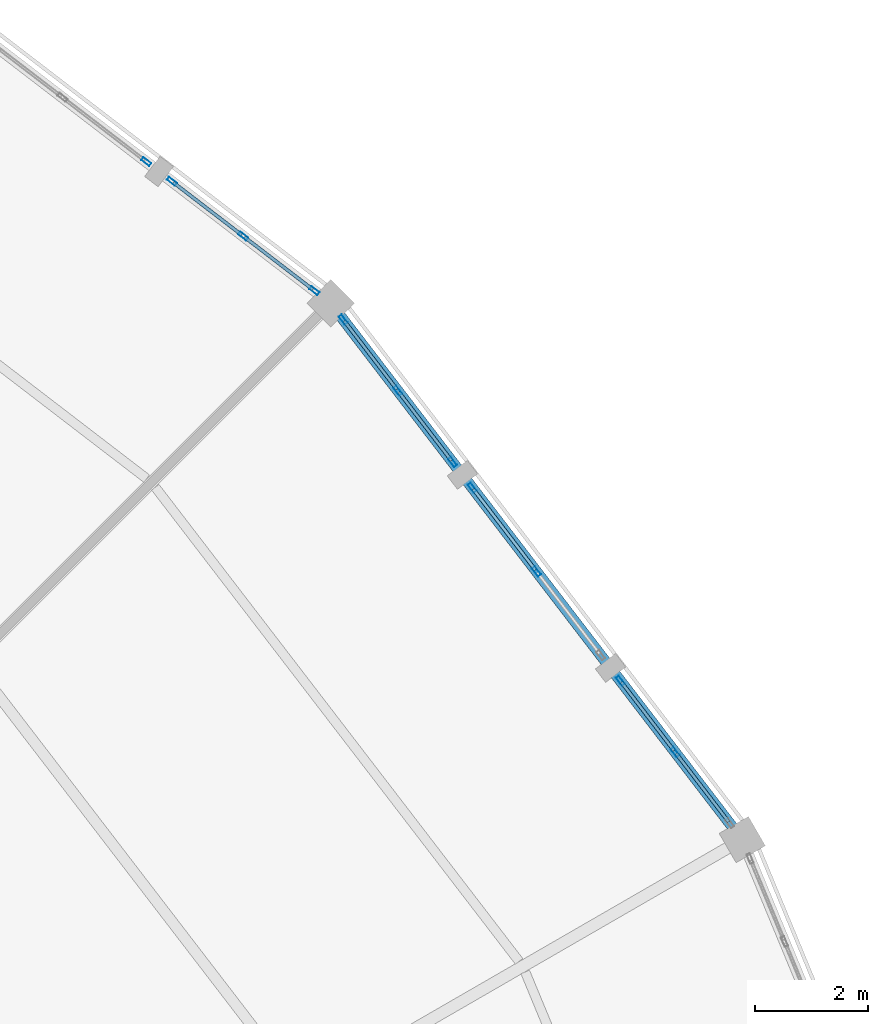
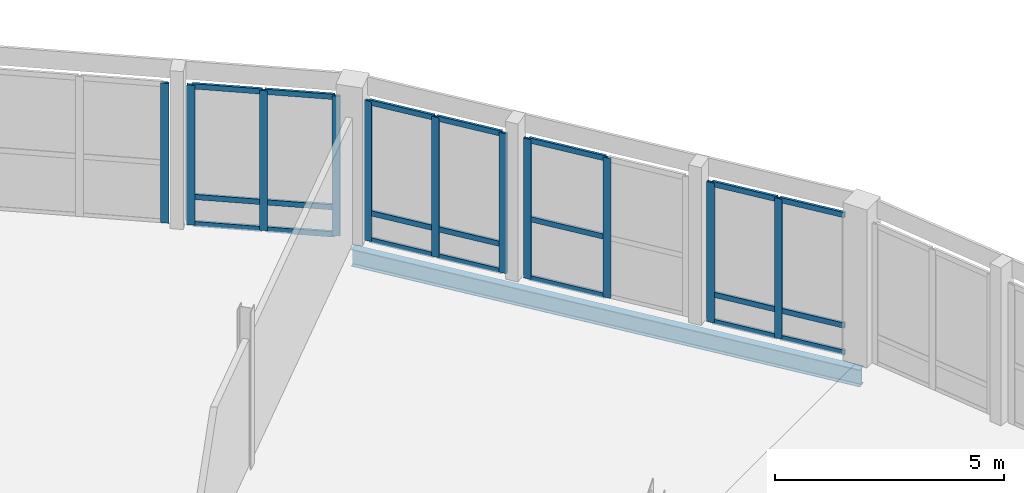
# One storey, part 121 of 170: 32 members, 1 beam, 5 elements without a shape of their own.
"""IFC4 building model written with IfcOpenShell, lengths in metres."""

from ifc_helpers import new_model, si_unit, direction, frame, origin, origin_2d, place, context, subcontext, project, spatial, hollow_rectangle, i_section, extrude, material, material_profile, profile_set, type_object, element, aggregate, save


model = new_model("IFC4")

# Units and contexts
model_context = context("Model", 3, precision=1e-05, world=origin(), true_north=direction((0.0, 1.0)))
body_context = subcontext(model_context, "Body", "Model", "MODEL_VIEW")
ifc_project = project(units=[si_unit("LENGTHUNIT", "METRE"), si_unit("AREAUNIT", "SQUARE_METRE"), si_unit("VOLUMEUNIT", "CUBIC_METRE"), si_unit("PLANEANGLEUNIT", "RADIAN"), si_unit("MASSUNIT", "GRAM", prefix="KILO")], contexts=[model_context])

# Site, building, storey
site_placement = place(None, origin())
site = spatial("IfcSite", under=ifc_project, at=site_placement, CompositionType="ELEMENT")
building_placement = place(site_placement, origin())
building = spatial("IfcBuilding", under=site, at=building_placement, Name="Vondelvale Polytechnic", CompositionType="ELEMENT")
storey_placement = place(building_placement, frame((0.0, 0.0, 5.39990234375)))
storey = spatial("IfcBuildingStorey", under=building, at=storey_placement, Name="L01", CompositionType="ELEMENT", Elevation=5.39990234375)

# Beam
ifc_material_1 = material(Name="Steel 300PLUS (fy = 300 MPa)", Category="steel")
ifc_material_profile_1 = material_profile(ifc_material_1, i_section(OverallWidth=0.18994140625, OverallDepth=0.45703125, WebThickness=0.009033203125, FlangeThickness=0.014404296875, FilletRadius=0.011474609375, at=origin_2d()), Name="460UB74.6")
ifc_profile_set_1 = profile_set([ifc_material_profile_1], Name="Steel 300PLUS (fy = 300 MPa)")
beam_type = type_object("IfcBeamType", Name="BM-UB460", PredefinedType="BEAM", material=ifc_profile_set_1)
beam_placement = place(storey_placement, frame((141.837158203125, 95.0, -0.50830078125), z_axis=(-0.608766116008, 0.793349743808, 0.0), x_axis=(-0.793349743808, -0.608766116008, 0.0)))
element("IfcBeam", 1, at=beam_placement, inside=storey, type_object=beam_type, Name="L01 RB B-13", PredefinedType="BEAM", context=body_context, shape_type="SweptSolid", body=[
    extrude(i_section(OverallWidth=0.18994140625, OverallDepth=0.45703125, WebThickness=0.009033203125, FlangeThickness=0.014404296875, FilletRadius=0.011474609375, at=origin_2d()), origin(), (0.0, 0.0, 1.0), 12.00830078125),
])

# Curtain wall, members
ifc_material_2 = material(Name="Glulam GL18 structural Tasmanian oak (fb = 42 MPa)", Category="wood")
curtain_wall_type = type_object("IfcCurtainWallType", Name="CW-RING-OUTER", PredefinedType="NOTDEFINED", material=ifc_material_2)
curtain_wall_1_placement = place(storey_placement, origin())
curtain_wall_1 = element("IfcCurtainWall", 2, at=curtain_wall_1_placement, inside=storey, type_object=curtain_wall_type, Name="L01 architectural curtain wall CW-04-090", PredefinedType="NOTDEFINED")
ifc_material_3 = material(Name="Anodised extruded aluminium 6063-T6", Category="aluminium")
ifc_material_profile_2 = material_profile(ifc_material_3, hollow_rectangle(XDim=0.06494140625, YDim=0.179931640625, WallThickness=0.00390625, at=origin_2d()), Name="CW-MUL-180x65")
ifc_profile_set_2 = profile_set([ifc_material_profile_2], Name="Anodised extruded aluminium 6063-T6")
member_type_1 = type_object("IfcMemberType", Name="CW-MUL-65x180", PredefinedType="MULLION", material=ifc_profile_set_2)
member_1_placement = place(storey_placement, frame((140.643798828125, 96.55517578125, 0.0), z_axis=(0.0, 0.0, 1.0), x_axis=(-0.793333825656, -0.608786860133, 0.0)))
member_1 = element("IfcMember", 3, at=member_1_placement, type_object=member_type_1, Name="CW-04-090 mullion 2", PredefinedType="MULLION", context=body_context, shape_type="SweptSolid", body=[
    extrude(hollow_rectangle(XDim=0.06494140625, YDim=0.179931640625, WallThickness=0.00390625, at=origin_2d()), origin(), (0.0, 0.0, 1.0), 3.72021484375),
])
member_2_placement = place(storey_placement, frame((139.6728515625, 97.820556640625, 0.0), z_axis=(0.0, 0.0, 1.0), x_axis=(-0.793333825656, -0.608786860133, 0.0)))
member_2 = element("IfcMember", 4, at=member_2_placement, type_object=member_type_1, Name="CW-04-090 mullion 3", PredefinedType="MULLION", context=body_context, shape_type="SweptSolid", body=[
    extrude(hollow_rectangle(XDim=0.06494140625, YDim=0.179931640625, WallThickness=0.00390625, at=origin_2d()), origin(), (0.0, 0.0, 1.0), 3.72021484375),
])

curtain_wall_2_placement = place(storey_placement, origin())
curtain_wall_2 = element("IfcCurtainWall", 5, at=curtain_wall_2_placement, inside=storey, type_object=curtain_wall_type, Name="L01 architectural curtain wall CW-04-091", PredefinedType="NOTDEFINED")
member_3_placement = place(storey_placement, frame((138.18212890625, 99.763427734375, 0.0), z_axis=(0.0, 0.0, 1.0), x_axis=(-0.793345851043, -0.608771189063, 0.0)))
member_3 = element("IfcMember", 6, at=member_3_placement, type_object=member_type_1, Name="CW-04-091 mullion 2", PredefinedType="MULLION", context=body_context, shape_type="SweptSolid", body=[
    extrude(hollow_rectangle(XDim=0.06494140625, YDim=0.179931640625, WallThickness=0.00390625, at=origin_2d()), origin(), (0.0, 0.0, 1.0), 3.72021484375),
])
member_4_placement = place(storey_placement, frame((137.041259765625, 101.250244140625, 0.0), z_axis=(0.0, 0.0, 1.0), x_axis=(-0.793345851043, -0.608771189063, 0.0)))
member_4 = element("IfcMember", 7, at=member_4_placement, type_object=member_type_1, Name="CW-04-091 mullion 3", PredefinedType="MULLION", context=body_context, shape_type="SweptSolid", body=[
    extrude(hollow_rectangle(XDim=0.06494140625, YDim=0.179931640625, WallThickness=0.00390625, at=origin_2d()), origin(), (0.0, 0.0, 1.0), 3.72021484375),
])

curtain_wall_3_placement = place(storey_placement, origin())
curtain_wall_3 = element("IfcCurtainWall", 8, at=curtain_wall_3_placement, inside=storey, type_object=curtain_wall_type, Name="L01 architectural curtain wall CW-04-092", PredefinedType="NOTDEFINED")
member_5_placement = place(storey_placement, frame((136.691162109375, 101.706298828125, 0.0), z_axis=(0.0, 0.0, 1.0), x_axis=(-0.793333825656, -0.608786860133, 0.0)))
member_5 = element("IfcMember", 9, at=member_5_placement, type_object=member_type_1, Name="CW-04-092 mullion 1", PredefinedType="MULLION", context=body_context, shape_type="SweptSolid", body=[
    extrude(hollow_rectangle(XDim=0.06494140625, YDim=0.179931640625, WallThickness=0.00390625, at=origin_2d()), origin(), (0.0, 0.0, 1.0), 3.72021484375),
])
member_6_placement = place(storey_placement, frame((135.72021484375, 102.9716796875, 0.0), z_axis=(0.0, 0.0, 1.0), x_axis=(-0.793333825656, -0.608786860133, 0.0)))
member_6 = element("IfcMember", 10, at=member_6_placement, type_object=member_type_1, Name="CW-04-092 mullion 2", PredefinedType="MULLION", context=body_context, shape_type="SweptSolid", body=[
    extrude(hollow_rectangle(XDim=0.06494140625, YDim=0.179931640625, WallThickness=0.00390625, at=origin_2d()), origin(), (0.0, 0.0, 1.0), 3.72021484375),
])
member_7_placement = place(storey_placement, frame((134.749267578125, 104.237060546875, 0.0), z_axis=(0.0, 0.0, 1.0), x_axis=(-0.793333825656, -0.608786860133, 0.0)))
member_7 = element("IfcMember", 11, at=member_7_placement, type_object=member_type_1, Name="CW-04-092 mullion 3", PredefinedType="MULLION", context=body_context, shape_type="SweptSolid", body=[
    extrude(hollow_rectangle(XDim=0.06494140625, YDim=0.179931640625, WallThickness=0.00390625, at=origin_2d()), origin(), (0.0, 0.0, 1.0), 3.72021484375),
])

curtain_wall_4_placement = place(storey_placement, origin())
curtain_wall_4 = element("IfcCurtainWall", 12, at=curtain_wall_4_placement, inside=storey, type_object=curtain_wall_type, Name="L01 architectural curtain wall CW-04-101", PredefinedType="NOTDEFINED")
member_8_placement = place(storey_placement, frame((134.237060546875, 104.749267578125, 0.0), z_axis=(0.0, 0.0, 1.0), x_axis=(-0.608786860133, -0.793333825656, 0.0)))
member_8 = element("IfcMember", 13, at=member_8_placement, type_object=member_type_1, Name="CW-04-101 mullion 1", PredefinedType="MULLION", context=body_context, shape_type="SweptSolid", body=[
    extrude(hollow_rectangle(XDim=0.06494140625, YDim=0.179931640625, WallThickness=0.00390625, at=origin_2d()), origin(), (0.0, 0.0, 1.0), 3.72021484375),
])
member_9_placement = place(storey_placement, frame((132.9716796875, 105.72021484375, 0.0), z_axis=(0.0, 0.0, 1.0), x_axis=(-0.608786860133, -0.793333825656, 0.0)))
member_9 = element("IfcMember", 14, at=member_9_placement, type_object=member_type_1, Name="CW-04-101 mullion 2", PredefinedType="MULLION", context=body_context, shape_type="SweptSolid", body=[
    extrude(hollow_rectangle(XDim=0.06494140625, YDim=0.179931640625, WallThickness=0.00390625, at=origin_2d()), origin(), (0.0, 0.0, 1.0), 3.72021484375),
])
member_10_placement = place(storey_placement, frame((131.706298828125, 106.691162109375, 0.0), z_axis=(0.0, 0.0, 1.0), x_axis=(-0.608786860133, -0.793333825656, 0.0)))
member_10 = element("IfcMember", 15, at=member_10_placement, type_object=member_type_1, Name="CW-04-101 mullion 3", PredefinedType="MULLION", context=body_context, shape_type="SweptSolid", body=[
    extrude(hollow_rectangle(XDim=0.06494140625, YDim=0.179931640625, WallThickness=0.00390625, at=origin_2d()), origin(), (0.0, 0.0, 1.0), 3.72021484375),
])

# Curtain wall, member
curtain_wall_5_placement = place(storey_placement, origin())
curtain_wall_5 = element("IfcCurtainWall", 16, at=curtain_wall_5_placement, inside=storey, type_object=curtain_wall_type, Name="L01 architectural curtain wall CW-04-102", PredefinedType="NOTDEFINED")
member_11_placement = place(storey_placement, frame((131.250244140625, 107.041259765625, 0.0), z_axis=(0.0, 0.0, 1.0), x_axis=(-0.608771189063, -0.793345851043, 0.0)))
member_11 = element("IfcMember", 17, at=member_11_placement, type_object=member_type_1, Name="CW-04-102 mullion 1", PredefinedType="MULLION", context=body_context, shape_type="SweptSolid", body=[
    extrude(hollow_rectangle(XDim=0.06494140625, YDim=0.179931640625, WallThickness=0.00390625, at=origin_2d()), origin(), (0.0, 0.0, 1.0), 3.72021484375),
])
aggregate(curtain_wall_5, [member_11])

# Member
ifc_material_profile_3 = material_profile(ifc_material_3, hollow_rectangle(XDim=0.06005859375, YDim=0.139892578125, WallThickness=0.00341796875, at=origin_2d()), Name="CW-TRN-140x60")
ifc_profile_set_3 = profile_set([ifc_material_profile_3], Name="Anodised extruded aluminium 6063-T6")
member_type_2 = type_object("IfcMemberType", Name="CW-TRN-60x140", PredefinedType="USERDEFINED", material=ifc_profile_set_3)
member_12_placement = place(storey_placement, frame((141.59521484375, 95.315673828125, 0.030029296875), z_axis=(-0.608923875222, 0.7932286645, 0.0), x_axis=(-0.7932286645, -0.608923875222, 0.0)))
member_12 = element("IfcMember", 18, at=member_12_placement, type_object=member_type_2, Name="CW-04-090 transom 1.1", ObjectType="TRANSOM", PredefinedType="USERDEFINED", context=body_context, shape_type="SweptSolid", body=[
    extrude(hollow_rectangle(XDim=0.06005859375, YDim=0.139892578125, WallThickness=0.00341796875, at=origin_2d()), origin(), (0.0, 0.0, 1.0), 1.530029296875),
])

member_13_placement = place(storey_placement, frame((141.59521484375, 95.315673828125, 0.75), z_axis=(-0.608923875222, 0.7932286645, 0.0), x_axis=(-0.7932286645, -0.608923875222, 0.0)))
member_13 = element("IfcMember", 19, at=member_13_placement, type_object=member_type_2, Name="CW-04-090 transom 1.2", ObjectType="TRANSOM", PredefinedType="USERDEFINED", context=body_context, shape_type="SweptSolid", body=[
    extrude(hollow_rectangle(XDim=0.06005859375, YDim=0.139892578125, WallThickness=0.00341796875, at=origin_2d()), origin(), (0.0, 0.0, 1.0), 1.530029296875),
])

member_14_placement = place(storey_placement, frame((141.59521484375, 95.315673828125, 3.690185546875), z_axis=(-0.608923875222, 0.7932286645, 0.0), x_axis=(-0.7932286645, -0.608923875222, 0.0)))
member_14 = element("IfcMember", 20, at=member_14_placement, type_object=member_type_2, Name="CW-04-090 transom 1.3", ObjectType="TRANSOM", PredefinedType="USERDEFINED", context=body_context, shape_type="SweptSolid", body=[
    extrude(hollow_rectangle(XDim=0.06005859375, YDim=0.139892578125, WallThickness=0.00341796875, at=origin_2d()), origin(), (0.0, 0.0, 1.0), 1.530029296875),
])

member_15_placement = place(storey_placement, frame((140.6240234375, 96.5810546875, 0.030029296875), z_axis=(-0.60882345649, 0.793305741078, 0.0), x_axis=(-0.793305741078, -0.60882345649, 0.0)))
member_15 = element("IfcMember", 21, at=member_15_placement, type_object=member_type_2, Name="CW-04-090 transom 2.1", ObjectType="TRANSOM", PredefinedType="USERDEFINED", context=body_context, shape_type="SweptSolid", body=[
    extrude(hollow_rectangle(XDim=0.06005859375, YDim=0.139892578125, WallThickness=0.00341796875, at=origin_2d()), origin(), (0.0, 0.0, 1.0), 1.52978515625),
])

member_16_placement = place(storey_placement, frame((140.6240234375, 96.5810546875, 0.75), z_axis=(-0.60882345649, 0.793305741078, 0.0), x_axis=(-0.793305741078, -0.60882345649, 0.0)))
member_16 = element("IfcMember", 22, at=member_16_placement, type_object=member_type_2, Name="CW-04-090 transom 2.2", ObjectType="TRANSOM", PredefinedType="USERDEFINED", context=body_context, shape_type="SweptSolid", body=[
    extrude(hollow_rectangle(XDim=0.06005859375, YDim=0.139892578125, WallThickness=0.00341796875, at=origin_2d()), origin(), (0.0, 0.0, 1.0), 1.52978515625),
])

member_17_placement = place(storey_placement, frame((140.6240234375, 96.5810546875, 3.690185546875), z_axis=(-0.60882345649, 0.793305741078, 0.0), x_axis=(-0.793305741078, -0.60882345649, 0.0)))
member_17 = element("IfcMember", 23, at=member_17_placement, type_object=member_type_2, Name="CW-04-090 transom 2.3", ObjectType="TRANSOM", PredefinedType="USERDEFINED", context=body_context, shape_type="SweptSolid", body=[
    extrude(hollow_rectangle(XDim=0.06005859375, YDim=0.139892578125, WallThickness=0.00341796875, at=origin_2d()), origin(), (0.0, 0.0, 1.0), 1.52978515625),
])

aggregate(curtain_wall_1, [member_1, member_2, member_12, member_13, member_14, member_15, member_16, member_17])

member_18_placement = place(storey_placement, frame((138.162353515625, 99.789306640625, 0.030029296875), z_axis=(-0.608816809849, 0.793310842007, 0.0), x_axis=(-0.793310842007, -0.608816809849, 0.0)))
member_18 = element("IfcMember", 24, at=member_18_placement, type_object=member_type_2, Name="CW-04-091 transom 2.1", ObjectType="TRANSOM", PredefinedType="USERDEFINED", context=body_context, shape_type="SweptSolid", body=[
    extrude(hollow_rectangle(XDim=0.06005859375, YDim=0.139892578125, WallThickness=0.00341796875, at=origin_2d()), origin(), (0.0, 0.0, 1.0), 1.808837890625),
])

member_19_placement = place(storey_placement, frame((138.162353515625, 99.789306640625, 1.60009765625), z_axis=(-0.608816809849, 0.793310842007, 0.0), x_axis=(-0.793310842007, -0.608816809849, 0.0)))
member_19 = element("IfcMember", 25, at=member_19_placement, type_object=member_type_2, Name="CW-04-091 transom 2.2", ObjectType="TRANSOM", PredefinedType="USERDEFINED", context=body_context, shape_type="SweptSolid", body=[
    extrude(hollow_rectangle(XDim=0.06005859375, YDim=0.139892578125, WallThickness=0.00341796875, at=origin_2d()), origin(), (0.0, 0.0, 1.0), 1.808837890625),
])

member_20_placement = place(storey_placement, frame((138.162353515625, 99.789306640625, 3.690185546875), z_axis=(-0.608816809849, 0.793310842007, 0.0), x_axis=(-0.793310842007, -0.608816809849, 0.0)))
member_20 = element("IfcMember", 26, at=member_20_placement, type_object=member_type_2, Name="CW-04-091 transom 2.3", ObjectType="TRANSOM", PredefinedType="USERDEFINED", context=body_context, shape_type="SweptSolid", body=[
    extrude(hollow_rectangle(XDim=0.06005859375, YDim=0.139892578125, WallThickness=0.00341796875, at=origin_2d()), origin(), (0.0, 0.0, 1.0), 1.808837890625),
])

aggregate(curtain_wall_2, [member_3, member_4, member_18, member_19, member_20])

member_21_placement = place(storey_placement, frame((136.67138671875, 101.732177734375, 0.030029296875), z_axis=(-0.608746385664, 0.793364883229, 0.0), x_axis=(-0.793364883229, -0.608746385664, 0.0)))
member_21 = element("IfcMember", 27, at=member_21_placement, type_object=member_type_2, Name="CW-04-092 transom 1.1", ObjectType="TRANSOM", PredefinedType="USERDEFINED", context=body_context, shape_type="SweptSolid", body=[
    extrude(hollow_rectangle(XDim=0.06005859375, YDim=0.139892578125, WallThickness=0.00341796875, at=origin_2d()), origin(), (0.0, 0.0, 1.0), 1.530029296875),
])

member_22_placement = place(storey_placement, frame((136.67138671875, 101.732177734375, 0.75), z_axis=(-0.608746385664, 0.793364883229, 0.0), x_axis=(-0.793364883229, -0.608746385664, 0.0)))
member_22 = element("IfcMember", 28, at=member_22_placement, type_object=member_type_2, Name="CW-04-092 transom 1.2", ObjectType="TRANSOM", PredefinedType="USERDEFINED", context=body_context, shape_type="SweptSolid", body=[
    extrude(hollow_rectangle(XDim=0.06005859375, YDim=0.139892578125, WallThickness=0.00341796875, at=origin_2d()), origin(), (0.0, 0.0, 1.0), 1.530029296875),
])

member_23_placement = place(storey_placement, frame((136.67138671875, 101.732177734375, 3.690185546875), z_axis=(-0.608746385664, 0.793364883229, 0.0), x_axis=(-0.793364883229, -0.608746385664, 0.0)))
member_23 = element("IfcMember", 29, at=member_23_placement, type_object=member_type_2, Name="CW-04-092 transom 1.3", ObjectType="TRANSOM", PredefinedType="USERDEFINED", context=body_context, shape_type="SweptSolid", body=[
    extrude(hollow_rectangle(XDim=0.06005859375, YDim=0.139892578125, WallThickness=0.00341796875, at=origin_2d()), origin(), (0.0, 0.0, 1.0), 1.530029296875),
])

member_24_placement = place(storey_placement, frame((135.700439453125, 102.99755859375, 0.030029296875), z_axis=(-0.608746385664, 0.793364883229, 0.0), x_axis=(-0.793364883229, -0.608746385664, 0.0)))
member_24 = element("IfcMember", 30, at=member_24_placement, type_object=member_type_2, Name="CW-04-092 transom 2.1", ObjectType="TRANSOM", PredefinedType="USERDEFINED", context=body_context, shape_type="SweptSolid", body=[
    extrude(hollow_rectangle(XDim=0.06005859375, YDim=0.139892578125, WallThickness=0.00341796875, at=origin_2d()), origin(), (0.0, 0.0, 1.0), 1.530029296875),
])

member_25_placement = place(storey_placement, frame((135.700439453125, 102.99755859375, 0.75), z_axis=(-0.608746385664, 0.793364883229, 0.0), x_axis=(-0.793364883229, -0.608746385664, 0.0)))
member_25 = element("IfcMember", 31, at=member_25_placement, type_object=member_type_2, Name="CW-04-092 transom 2.2", ObjectType="TRANSOM", PredefinedType="USERDEFINED", context=body_context, shape_type="SweptSolid", body=[
    extrude(hollow_rectangle(XDim=0.06005859375, YDim=0.139892578125, WallThickness=0.00341796875, at=origin_2d()), origin(), (0.0, 0.0, 1.0), 1.530029296875),
])

member_26_placement = place(storey_placement, frame((135.700439453125, 102.99755859375, 3.690185546875), z_axis=(-0.608746385664, 0.793364883229, 0.0), x_axis=(-0.793364883229, -0.608746385664, 0.0)))
member_26 = element("IfcMember", 32, at=member_26_placement, type_object=member_type_2, Name="CW-04-092 transom 2.3", ObjectType="TRANSOM", PredefinedType="USERDEFINED", context=body_context, shape_type="SweptSolid", body=[
    extrude(hollow_rectangle(XDim=0.06005859375, YDim=0.139892578125, WallThickness=0.00341796875, at=origin_2d()), origin(), (0.0, 0.0, 1.0), 1.530029296875),
])

aggregate(curtain_wall_3, [member_5, member_6, member_7, member_21, member_22, member_23, member_24, member_25, member_26])

member_27_placement = place(storey_placement, frame((134.21142578125, 104.76904296875, 0.030029296875), z_axis=(-0.793364883229, 0.608746385664, 0.0), x_axis=(-0.608746385664, -0.793364883229, 0.0)))
member_27 = element("IfcMember", 33, at=member_27_placement, type_object=member_type_2, Name="CW-04-101 transom 1.1", ObjectType="TRANSOM", PredefinedType="USERDEFINED", context=body_context, shape_type="SweptSolid", body=[
    extrude(hollow_rectangle(XDim=0.06005859375, YDim=0.139892578125, WallThickness=0.00341796875, at=origin_2d()), origin(), (0.0, 0.0, 1.0), 1.530029296875),
])

member_28_placement = place(storey_placement, frame((134.21142578125, 104.76904296875, 0.75), z_axis=(-0.793364883229, 0.608746385664, 0.0), x_axis=(-0.608746385664, -0.793364883229, 0.0)))
member_28 = element("IfcMember", 34, at=member_28_placement, type_object=member_type_2, Name="CW-04-101 transom 1.2", ObjectType="TRANSOM", PredefinedType="USERDEFINED", context=body_context, shape_type="SweptSolid", body=[
    extrude(hollow_rectangle(XDim=0.06005859375, YDim=0.139892578125, WallThickness=0.00341796875, at=origin_2d()), origin(), (0.0, 0.0, 1.0), 1.530029296875),
])

member_29_placement = place(storey_placement, frame((134.21142578125, 104.76904296875, 3.690185546875), z_axis=(-0.793364883229, 0.608746385664, 0.0), x_axis=(-0.608746385664, -0.793364883229, 0.0)))
member_29 = element("IfcMember", 35, at=member_29_placement, type_object=member_type_2, Name="CW-04-101 transom 1.3", ObjectType="TRANSOM", PredefinedType="USERDEFINED", context=body_context, shape_type="SweptSolid", body=[
    extrude(hollow_rectangle(XDim=0.06005859375, YDim=0.139892578125, WallThickness=0.00341796875, at=origin_2d()), origin(), (0.0, 0.0, 1.0), 1.530029296875),
])

member_30_placement = place(storey_placement, frame((132.946044921875, 105.739990234375, 0.030029296875), z_axis=(-0.793364883229, 0.608746385664, 0.0), x_axis=(-0.608746385664, -0.793364883229, 0.0)))
member_30 = element("IfcMember", 36, at=member_30_placement, type_object=member_type_2, Name="CW-04-101 transom 2.1", ObjectType="TRANSOM", PredefinedType="USERDEFINED", context=body_context, shape_type="SweptSolid", body=[
    extrude(hollow_rectangle(XDim=0.06005859375, YDim=0.139892578125, WallThickness=0.00341796875, at=origin_2d()), origin(), (0.0, 0.0, 1.0), 1.530029296875),
])

member_31_placement = place(storey_placement, frame((132.946044921875, 105.739990234375, 0.75), z_axis=(-0.793364883229, 0.608746385664, 0.0), x_axis=(-0.608746385664, -0.793364883229, 0.0)))
member_31 = element("IfcMember", 37, at=member_31_placement, type_object=member_type_2, Name="CW-04-101 transom 2.2", ObjectType="TRANSOM", PredefinedType="USERDEFINED", context=body_context, shape_type="SweptSolid", body=[
    extrude(hollow_rectangle(XDim=0.06005859375, YDim=0.139892578125, WallThickness=0.00341796875, at=origin_2d()), origin(), (0.0, 0.0, 1.0), 1.530029296875),
])

member_32_placement = place(storey_placement, frame((132.946044921875, 105.739990234375, 3.690185546875), z_axis=(-0.793364883229, 0.608746385664, 0.0), x_axis=(-0.608746385664, -0.793364883229, 0.0)))
member_32 = element("IfcMember", 38, at=member_32_placement, type_object=member_type_2, Name="CW-04-101 transom 2.3", ObjectType="TRANSOM", PredefinedType="USERDEFINED", context=body_context, shape_type="SweptSolid", body=[
    extrude(hollow_rectangle(XDim=0.06005859375, YDim=0.139892578125, WallThickness=0.00341796875, at=origin_2d()), origin(), (0.0, 0.0, 1.0), 1.530029296875),
])

aggregate(curtain_wall_4, [member_8, member_9, member_10, member_27, member_28, member_29, member_30, member_31, member_32])

save(model, "model.ifc")
